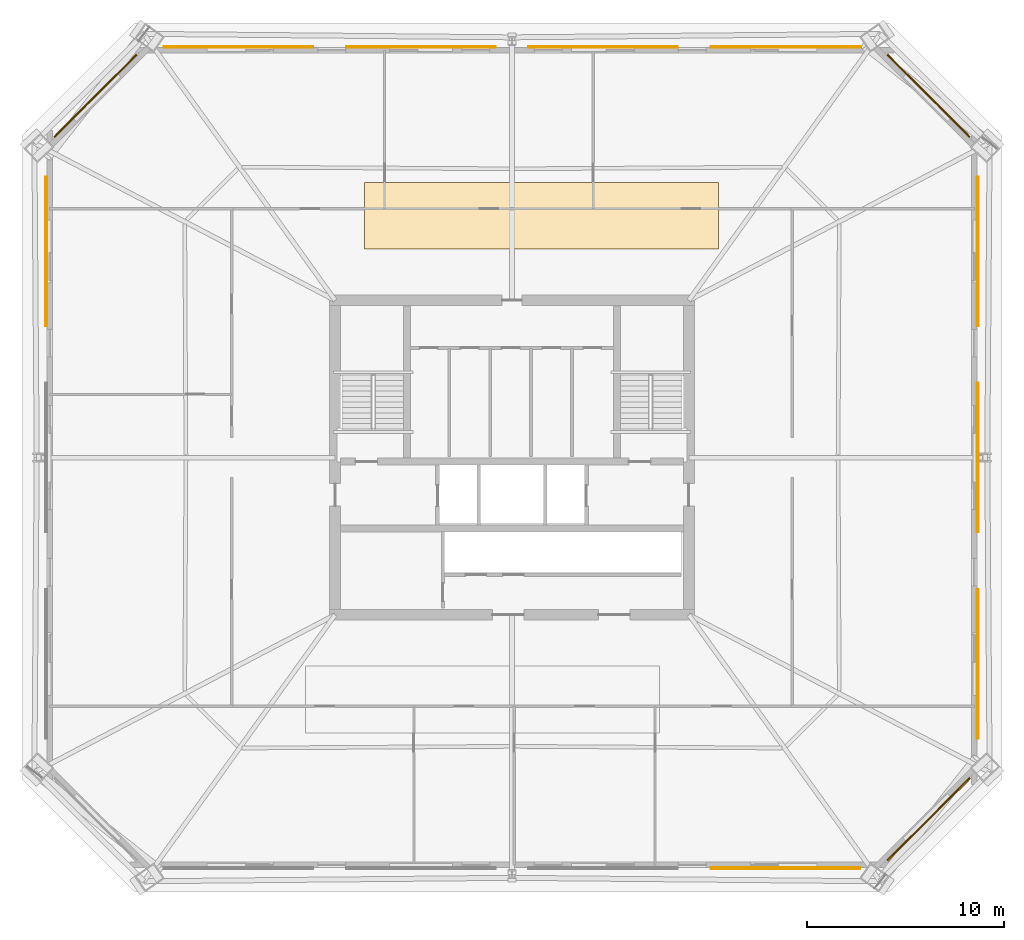
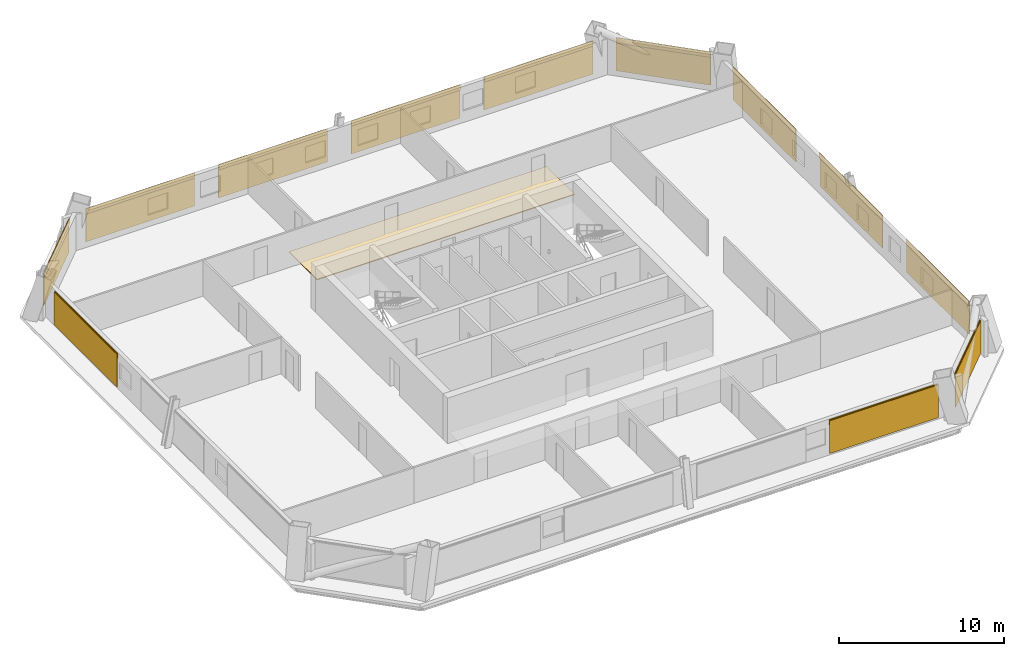
# One storey, part 7 of 7: 13 coverings, 12 shading devices.
"""IFC4 building model written with IfcOpenShell, lengths in metres."""

from ifc_helpers import new_model, si_unit, direction, frame, origin, origin_2d, place, context, subcontext, project, spatial, polyline, rectangle, outline, extrude, material, layer, layer_set, type_object, element, save


model = new_model("IFC4")

# Units and contexts
model_context = context("Model", 3, precision=1e-05, world=origin(), true_north=direction((0.0, 1.0)))
body_context = subcontext(model_context, "Body", "Model", "MODEL_VIEW")
ifc_project = project(units=[si_unit("LENGTHUNIT", "METRE"), si_unit("AREAUNIT", "SQUARE_METRE"), si_unit("VOLUMEUNIT", "CUBIC_METRE"), si_unit("PLANEANGLEUNIT", "RADIAN"), si_unit("MASSUNIT", "GRAM", prefix="KILO")], contexts=[model_context])

# Site, building, storey
site_placement = place(None, origin())
site = spatial("IfcSite", under=ifc_project, at=site_placement, CompositionType="ELEMENT")
building_placement = place(site_placement, origin())
building = spatial("IfcBuilding", under=site, at=building_placement, Name="Caelvoria Tower", CompositionType="ELEMENT")
storey_placement = place(building_placement, frame((0.0, 0.0, 102.39990234375)))
storey = spatial("IfcBuildingStorey", under=building, at=storey_placement, Name="L26", CompositionType="ELEMENT", Elevation=102.39990234375)

# Coverings
ifc_material_1 = material(Name="Perforated Architectural Bronze Cladding Screen", Category="bronze")
ifc_layer_1 = layer(ifc_material_1, 0.0400390625, Name="Perforated Architectural Bronze Cladding Screen")
ifc_layer_set_1 = layer_set([ifc_layer_1], Name="Perforated Bronze Louvre Cladding Band 40 - Perforated Architectural Bronze Cladding Screen")
covering_type_1 = type_object("IfcCoveringType", Name="Perforated Bronze Louvre Cladding Band 40", PredefinedType="CLADDING", material=ifc_layer_set_1)
covering_1_placement = place(storey_placement, frame((59.905029296875, 11.1279296875, 2.2421875), z_axis=(0.0, 0.0, 1.0), x_axis=(1.0, 0.0, 0.0)))
element("IfcCovering", 1, at=covering_1_placement, inside=storey, type_object=covering_type_1, Name="Perforated Bronze Screen Band L26-E0-03", PredefinedType="CLADDING", context=body_context, shape_type="SweptSolid", body=[
    extrude(rectangle(XDim=7.60009765625, YDim=0.0400390625, at=origin_2d()), origin(), (0.0, 0.0, 1.0), 0.39990234375),
])
covering_2_placement = place(storey_placement, frame((67.181640625, 13.618408203125, 2.2421875), z_axis=(0.0, 0.0, 1.0), x_axis=(0.707106781187, 0.707106781187, 0.0)))
element("IfcCovering", 2, at=covering_2_placement, inside=storey, type_object=covering_type_1, Name="Perforated Bronze Screen Band L26-E1-00", PredefinedType="CLADDING", context=body_context, shape_type="SweptSolid", body=[
    extrude(rectangle(XDim=5.93212890625, YDim=0.0400390625, at=origin_2d()), origin(), (0.0, 0.0, 1.0), 0.39990234375),
])
for number, where, z_axis, x_axis, name in (
    (3, (69.672119140625, 21.506591796875, 2.2421875), (0.0, 0.0, 1.0), (0.0, 1.0, 0.0), "Perforated Bronze Screen Band L26-E2-00"),
    (4, (69.672119140625, 32.0, 2.2421875), (0.0, 0.0, 1.0), (0.0, 1.0, 0.0), "Perforated Bronze Screen Band L26-E2-01"),
    (5, (69.672119140625, 42.493408203125, 2.2421875), (0.0, 0.0, 1.0), (0.0, 1.0, 0.0), "Perforated Bronze Screen Band L26-E2-02"),
):
    element("IfcCovering", number, at=place(storey_placement, frame(where, z_axis=z_axis, x_axis=x_axis)), inside=storey, type_object=covering_type_1, Name=name, PredefinedType="CLADDING", context=body_context, shape_type="SweptSolid", body=[
        extrude(rectangle(XDim=7.60009765625, YDim=0.0400390625, at=origin_2d()), origin(), (0.0, 0.0, 1.0), 0.39990234375),
    ])
covering_3_placement = place(storey_placement, frame((67.181640625, 50.381591796875, 2.2421875), z_axis=(0.0, 0.0, 1.0), x_axis=(-0.707106781187, 0.707106781187, 0.0)))
element("IfcCovering", 6, at=covering_3_placement, inside=storey, type_object=covering_type_1, Name="Perforated Bronze Screen Band L26-E3-00", PredefinedType="CLADDING", context=body_context, shape_type="SweptSolid", body=[
    extrude(rectangle(XDim=5.93212890625, YDim=0.0400390625, at=origin_2d()), origin(), (0.0, 0.0, 1.0), 0.39990234375),
])
for number, where, z_axis, x_axis, name in (
    (7, (59.905029296875, 52.8720703125, 2.2421875), (0.0, 0.0, 1.0), (-1.0, 0.0, 0.0), "Perforated Bronze Screen Band L26-E4-00"),
    (8, (50.635009765625, 52.8720703125, 2.2421875), (0.0, 0.0, 1.0), (-1.0, 0.0, 0.0), "Perforated Bronze Screen Band L26-E4-01"),
    (9, (41.364990234375, 52.8720703125, 2.2421875), (0.0, 0.0, 1.0), (-1.0, 0.0, 0.0), "Perforated Bronze Screen Band L26-E4-02"),
    (10, (32.094970703125, 52.8720703125, 2.2421875), (0.0, 0.0, 1.0), (-1.0, 0.0, 0.0), "Perforated Bronze Screen Band L26-E4-03"),
):
    element("IfcCovering", number, at=place(storey_placement, frame(where, z_axis=z_axis, x_axis=x_axis)), inside=storey, type_object=covering_type_1, Name=name, PredefinedType="CLADDING", context=body_context, shape_type="SweptSolid", body=[
        extrude(rectangle(XDim=7.60009765625, YDim=0.0400390625, at=origin_2d()), origin(), (0.0, 0.0, 1.0), 0.39990234375),
    ])
covering_4_placement = place(storey_placement, frame((24.818359375, 50.381591796875, 2.2421875), z_axis=(0.0, 0.0, 1.0), x_axis=(-0.707106781187, -0.707106781187, 0.0)))
element("IfcCovering", 11, at=covering_4_placement, inside=storey, type_object=covering_type_1, Name="Perforated Bronze Screen Band L26-E5-00", PredefinedType="CLADDING", context=body_context, shape_type="SweptSolid", body=[
    extrude(rectangle(XDim=5.93212890625, YDim=0.0400390625, at=origin_2d()), origin(), (0.0, 0.0, 1.0), 0.39990234375),
])
covering_5_placement = place(storey_placement, frame((22.327880859375, 42.493408203125, 2.2421875), z_axis=(0.0, 0.0, 1.0), x_axis=(0.0, -1.0, 0.0)))
element("IfcCovering", 12, at=covering_5_placement, inside=storey, type_object=covering_type_1, Name="Perforated Bronze Screen Band L26-E6-00", PredefinedType="CLADDING", context=body_context, shape_type="SweptSolid", body=[
    extrude(rectangle(XDim=7.60009765625, YDim=0.0400390625, at=origin_2d()), origin(), (0.0, 0.0, 1.0), 0.39990234375),
])

# Shading devices
ifc_material_2 = material(Name="Perforated Architectural Bronze Alloy Panel", Category="bronze")
ifc_layer_2 = layer(ifc_material_2, 0.044921875, Name="Perforated Architectural Bronze Alloy Panel")
ifc_layer_set_2 = layer_set([ifc_layer_2], Name="Perforated Bronze Solar Screen Panel SCREEN - Perforated Architectural Bronze Alloy Panel")
shading_device_type = type_object("IfcShadingDeviceType", Name="Perforated Bronze Solar Screen Panel SCREEN", PredefinedType="USERDEFINED", material=ifc_layer_set_2)
shading_device_1_placement = place(storey_placement, frame((59.905029296875, 11.0849609375, 0.16015625), z_axis=(0.0, 0.0, 1.0), x_axis=(1.0, 0.0, 0.0)))
element("IfcShadingDevice", 13, at=shading_device_1_placement, inside=storey, type_object=shading_device_type, Name="Perforated Bronze Solar Screen L26-E0-03", ObjectType="SCREEN", PredefinedType="USERDEFINED", context=body_context, shape_type="SweptSolid", body=[
    extrude(rectangle(XDim=7.60009765625, YDim=0.044921875, at=origin_2d()), origin(), (0.0, 0.0, 1.0), 2.422119140625),
])
shading_device_2_placement = place(storey_placement, frame((67.212158203125, 13.587890625, 0.16015625), z_axis=(0.0, 0.0, 1.0), x_axis=(0.707106781187, 0.707106781187, 0.0)))
element("IfcShadingDevice", 14, at=shading_device_2_placement, inside=storey, type_object=shading_device_type, Name="Perforated Bronze Solar Screen L26-E1-00", ObjectType="SCREEN", PredefinedType="USERDEFINED", context=body_context, shape_type="SweptSolid", body=[
    extrude(rectangle(XDim=5.93212890625, YDim=0.044921875, at=origin_2d()), origin(), (0.0, 0.0, 1.0), 2.422119140625),
])
for number, where, z_axis, x_axis, name in (
    (15, (69.715087890625, 21.506591796875, 0.16015625), (0.0, 0.0, 1.0), (0.0, 1.0, 0.0), "Perforated Bronze Solar Screen L26-E2-00"),
    (16, (69.715087890625, 32.0, 0.16015625), (0.0, 0.0, 1.0), (0.0, 1.0, 0.0), "Perforated Bronze Solar Screen L26-E2-01"),
    (17, (69.715087890625, 42.493408203125, 0.16015625), (0.0, 0.0, 1.0), (0.0, 1.0, 0.0), "Perforated Bronze Solar Screen L26-E2-02"),
):
    element("IfcShadingDevice", number, at=place(storey_placement, frame(where, z_axis=z_axis, x_axis=x_axis)), inside=storey, type_object=shading_device_type, Name=name, ObjectType="SCREEN", PredefinedType="USERDEFINED", context=body_context, shape_type="SweptSolid", body=[
        extrude(rectangle(XDim=7.60009765625, YDim=0.044921875, at=origin_2d()), origin(), (0.0, 0.0, 1.0), 2.422119140625),
    ])
shading_device_3_placement = place(storey_placement, frame((67.212158203125, 50.412109375, 0.16015625), z_axis=(0.0, 0.0, 1.0), x_axis=(-0.707106781187, 0.707106781187, 0.0)))
element("IfcShadingDevice", 18, at=shading_device_3_placement, inside=storey, type_object=shading_device_type, Name="Perforated Bronze Solar Screen L26-E3-00", ObjectType="SCREEN", PredefinedType="USERDEFINED", context=body_context, shape_type="SweptSolid", body=[
    extrude(rectangle(XDim=5.93212890625, YDim=0.044921875, at=origin_2d()), origin(), (0.0, 0.0, 1.0), 2.422119140625),
])
for number, where, z_axis, x_axis, name in (
    (19, (59.905029296875, 52.9150390625, 0.16015625), (0.0, 0.0, 1.0), (-1.0, 0.0, 0.0), "Perforated Bronze Solar Screen L26-E4-00"),
    (20, (50.635009765625, 52.9150390625, 0.16015625), (0.0, 0.0, 1.0), (-1.0, 0.0, 0.0), "Perforated Bronze Solar Screen L26-E4-01"),
    (21, (41.364990234375, 52.9150390625, 0.16015625), (0.0, 0.0, 1.0), (-1.0, 0.0, 0.0), "Perforated Bronze Solar Screen L26-E4-02"),
    (22, (32.094970703125, 52.9150390625, 0.16015625), (0.0, 0.0, 1.0), (-1.0, 0.0, 0.0), "Perforated Bronze Solar Screen L26-E4-03"),
):
    element("IfcShadingDevice", number, at=place(storey_placement, frame(where, z_axis=z_axis, x_axis=x_axis)), inside=storey, type_object=shading_device_type, Name=name, ObjectType="SCREEN", PredefinedType="USERDEFINED", context=body_context, shape_type="SweptSolid", body=[
        extrude(rectangle(XDim=7.60009765625, YDim=0.044921875, at=origin_2d()), origin(), (0.0, 0.0, 1.0), 2.422119140625),
    ])
shading_device_4_placement = place(storey_placement, frame((24.787841796875, 50.412109375, 0.16015625), z_axis=(0.0, 0.0, 1.0), x_axis=(-0.707106781187, -0.707106781187, 0.0)))
element("IfcShadingDevice", 23, at=shading_device_4_placement, inside=storey, type_object=shading_device_type, Name="Perforated Bronze Solar Screen L26-E5-00", ObjectType="SCREEN", PredefinedType="USERDEFINED", context=body_context, shape_type="SweptSolid", body=[
    extrude(rectangle(XDim=5.93212890625, YDim=0.044921875, at=origin_2d()), origin(), (0.0, 0.0, 1.0), 2.422119140625),
])
shading_device_5_placement = place(storey_placement, frame((22.284912109375, 42.493408203125, 0.16015625), z_axis=(0.0, 0.0, 1.0), x_axis=(0.0, -1.0, 0.0)))
element("IfcShadingDevice", 24, at=shading_device_5_placement, inside=storey, type_object=shading_device_type, Name="Perforated Bronze Solar Screen L26-E6-00", ObjectType="SCREEN", PredefinedType="USERDEFINED", context=body_context, shape_type="SweptSolid", body=[
    extrude(rectangle(XDim=7.60009765625, YDim=0.044921875, at=origin_2d()), origin(), (0.0, 0.0, 1.0), 2.422119140625),
])

# Covering
ifc_material_3 = material(Name="Calcium-Sulphate Raised Floor Tile", Category="gypsum")
ifc_layer_3 = layer(ifc_material_3, 0.06005859375, Name="Calcium-Sulphate Raised Floor Tile")
ifc_layer_set_3 = layer_set([ifc_layer_3], Name="Raised Access Office Floor System 120 - Calcium-Sulphate Raised Floor Tile")
covering_type_2 = type_object("IfcCoveringType", Name="Raised Access Office Floor System 120", PredefinedType="FLOORING", material=ifc_layer_set_3)
covering_6_placement = place(storey_placement, origin())
element("IfcCovering", 25, at=covering_6_placement, inside=storey, type_object=covering_type_2, Name="Raised Access Flooring L26", PredefinedType="FLOORING", context=body_context, shape_type="SweptSolid", body=[
    extrude(outline(polyline([(38.5, 42.60009765625), (56.5, 42.60009765625), (56.5, 46.0), (38.5, 46.0), (38.5, 42.60009765625)])), origin(), (0.0, 0.0, 1.0), 0.06005859375),
])

save(model, "model.ifc")
